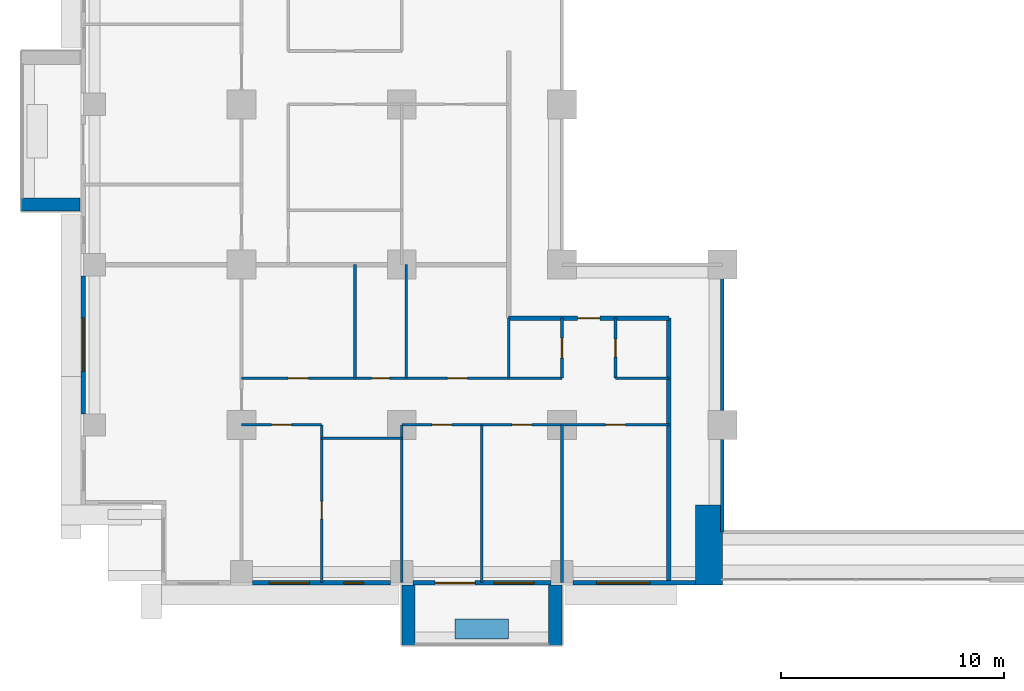
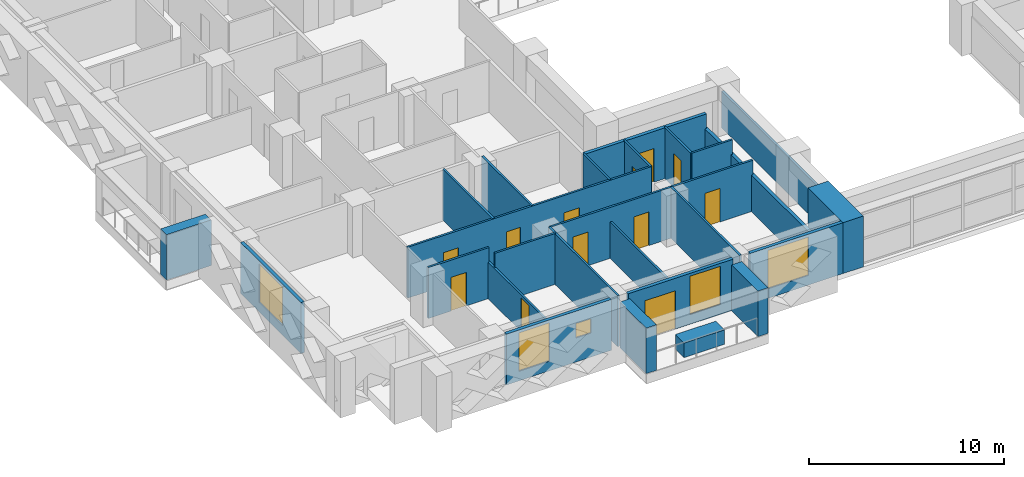
# One storey, part 6 of 16: 26 walls, 12 doors, 5 windows, 17 openings.
"""IFC4 building model written with IfcOpenShell, lengths in metres."""

from ifc_helpers import new_model, si_unit, direction, frame, frame_2d, origin, place, context, subcontext, project, spatial, rectangle, extrude, material, layer, layer_set, type_object, element, fill, save


model = new_model("IFC4")

# Units and contexts
model_context = context("Model", 3, precision=1e-05, world=origin(), true_north=direction((0.0, 1.0)))
body_context = subcontext(model_context, "Body", "Model", "MODEL_VIEW")
ifc_project = project(units=[si_unit("LENGTHUNIT", "METRE"), si_unit("AREAUNIT", "SQUARE_METRE"), si_unit("VOLUMEUNIT", "CUBIC_METRE"), si_unit("PLANEANGLEUNIT", "RADIAN"), si_unit("MASSUNIT", "GRAM", prefix="KILO")], contexts=[model_context])

# Site, building, storey
site_placement = place(None, origin())
site = spatial("IfcSite", under=ifc_project, at=site_placement, CompositionType="ELEMENT")
building_placement = place(site_placement, origin())
building = spatial("IfcBuilding", under=site, at=building_placement, Name="Saffron Iwan Residences", CompositionType="ELEMENT")
storey_placement = place(building_placement, frame((0.0, 0.0, 83.0)))
storey = spatial("IfcBuildingStorey", under=building, at=storey_placement, Name="L21", CompositionType="ELEMENT", Elevation=83.0)

# Walls
ifc_material_1 = material(Name="Fire-rated glazing", Category="glass")
ifc_layer_1 = layer(ifc_material_1, 0.14990234375)
ifc_layer_set_1 = layer_set([ifc_layer_1], Name="Fire-rated glazing")
wall_type_1 = type_object("IfcWallType", Name="Atrium glazed screen 150", PredefinedType="SOLIDWALL", material=ifc_layer_set_1)
wall_1_placement = place(storey_placement, frame((43.199951171875, 36.0, 0.0), z_axis=(0.0, 0.0, 1.0), x_axis=(0.0, 1.0, 0.0)))
element("IfcWall", 1, at=wall_1_placement, inside=storey, type_object=wall_type_1, Name="W-L21-SCREEN-v43.2-36", PredefinedType="SOLIDWALL", context=body_context, shape_type="SweptSolid", body=[
    extrude(rectangle(XDim=12.0, YDim=0.14990234375, at=frame_2d((6.0, 0.0))), origin(), (0.0, 0.0, 1.0), 2.280029296875),
])
ifc_material_2 = material(Name="Concrete C50/60 white painted", Category="concrete")
ifc_layer_2 = layer(ifc_material_2, 0.60009765625)
ifc_layer_set_2 = layer_set([ifc_layer_2], Name="Concrete C50/60 white painted")
wall_type_2 = type_object("IfcWallType", Name="BALCONY FIN 600", PredefinedType="SOLIDWALL", material=ifc_layer_set_2)
wall_2_placement = place(storey_placement, frame((14.35009765625, 50.699951171875, 0.0), z_axis=(0.0, 0.0, 1.0), x_axis=(-1.0, 0.0, 0.0)))
element("IfcWall", 2, at=wall_2_placement, inside=storey, type_object=wall_type_2, Name="Balcony fin L21 F8-1b", PredefinedType="SOLIDWALL", context=body_context, shape_type="SweptSolid", body=[
    extrude(rectangle(XDim=2.650146484375, YDim=0.60009765625, at=frame_2d((1.3251953125, 0.0))), origin(), (0.0, 0.0, 1.0), 2.85009765625),
])
for number, where, z_axis, x_axis, name in (
    (3, (29.10009765625, 33.60009765625, 0.0), (0.0, 0.0, 1.0), (0.0, -1.0, 0.0), "Balcony fin L21 11-0a"),
    (4, (35.699951171875, 33.60009765625, 0.0), (0.0, 0.0, 1.0), (0.0, -1.0, 0.0), "Balcony fin L21 11-0b"),
):
    element("IfcWall", number, at=place(storey_placement, frame(where, z_axis=z_axis, x_axis=x_axis)), inside=storey, type_object=wall_type_2, Name=name, PredefinedType="SOLIDWALL", context=body_context, shape_type="SweptSolid", body=[
        extrude(rectangle(XDim=2.7001953125, YDim=0.60009765625, at=frame_2d((1.35009765625, 0.0))), origin(), (0.0, 0.0, 1.0), 2.85009765625),
    ])
ifc_material_3 = material(Name="Concrete C35/45 white painted", Category="concrete")
ifc_layer_3 = layer(ifc_material_3, 0.14990234375)
ifc_layer_set_3 = layer_set([ifc_layer_3], Name="Concrete C35/45 white painted")
wall_type_3 = type_object("IfcWallType", Name="BALCONY PLANTER", PredefinedType="SOLIDWALL", material=ifc_layer_set_3)
wall_3_placement = place(storey_placement, frame((31.199951171875, 31.625, 0.0), z_axis=(0.0, 0.0, 1.0), x_axis=(1.0, 0.0, 0.0)))
element("IfcWall", 5, at=wall_3_placement, inside=storey, type_object=wall_type_3, Name="PLANTER L21 11-0", PredefinedType="SOLIDWALL", context=body_context, shape_type="SweptSolid", body=[
    extrude(rectangle(XDim=2.400146484375, YDim=0.89990234375, at=frame_2d((1.2001953125, 0.0))), origin(), (0.0, 0.0, 1.0), 0.89990234375),
])

# Wall, opening, window
ifc_material_4 = material(Name="Concrete C40/50", Category="concrete")
ifc_layer_4 = layer(ifc_material_4, 0.199951171875)
ifc_layer_set_4 = layer_set([ifc_layer_4], Name="Concrete C40/50")
wall_type_4 = type_object("IfcWallType", Name="EXTERNAL WALL 200", PredefinedType="SOLIDWALL", material=ifc_layer_set_4)
wall_4_placement = place(storey_placement, frame((14.5, 47.5, 0.0), z_axis=(0.0, 0.0, 1.0), x_axis=(0.0, -1.0, 0.0)))
wall_4 = element("IfcWall", 6, at=wall_4_placement, inside=storey, type_object=wall_type_4, Name="External wall L21 F8.4", PredefinedType="SOLIDWALL", context=body_context, shape_type="SweptSolid", body=[
    extrude(rectangle(XDim=6.199951171875, YDim=0.199951171875, at=frame_2d((3.10009765625, 0.0))), origin(), (0.0, 0.0, 1.0), 3.179931640625),
])
opening_1_placement = place(wall_4_placement, frame((1.89990234375, 0.0, 0.60009765625)))
opening_1 = element("IfcOpeningElement", 7, at=opening_1_placement, cuts=wall_4, Name="Opening W1", PredefinedType="OPENING", context=body_context, shape_type="SweptSolid", body=[
    extrude(rectangle(XDim=2.39990234375, YDim=2.39990234375, at=frame_2d((1.199951171875, 1.199951171875))), frame((0.0, 0.10986328125, 0.0), z_axis=(0.0, -1.0, 0.0), x_axis=(1.0, 0.0, 0.0)), (0.0, 0.0, 1.0), 0.219970703125),
])
ifc_material_5 = material(Name="Clear glass, laminated double glazed", Category="glass")
window_type_1 = type_object("IfcWindowType", Name="WINDOW 2400 x 2400", PartitioningType="DOUBLE_PANEL_VERTICAL", PredefinedType="WINDOW", material=ifc_material_5)
window_1_placement = place(opening_1_placement, origin())
window_1 = element("IfcWindow", 8, at=window_1_placement, inside=storey, type_object=window_type_1, Name="Window L21 F8.0", OverallHeight=2.39990234375, OverallWidth=2.39990234375, PartitioningType="DOUBLE_PANEL_VERTICAL", PredefinedType="WINDOW", context=body_context, shape_type="SweptSolid", body=[
    extrude(rectangle(XDim=2.39990234375, YDim=2.39990234375, at=frame_2d((1.199951171875, 1.199951171875))), frame((0.0, 0.030029296875, 0.0), z_axis=(0.0, -1.0, 0.0), x_axis=(1.0, 0.0, 0.0)), (0.0, 0.0, 1.0), 0.06005859375),
])
fill(opening_1, window_1)

# Wall, openings, windows
wall_5_placement = place(storey_placement, frame((22.10009765625, 33.699951171875, 0.0), z_axis=(0.0, 0.0, 1.0), x_axis=(1.0, 0.0, 0.0)))
wall_5 = element("IfcWall", 9, at=wall_5_placement, inside=storey, type_object=wall_type_4, Name="External wall L21 F11.1", PredefinedType="SOLIDWALL", context=body_context, shape_type="SweptSolid", body=[
    extrude(rectangle(XDim=6.199951171875, YDim=0.199951171875, at=frame_2d((3.10009765625, 0.0))), origin(), (0.0, 0.0, 1.0), 3.179931640625),
])
opening_2_placement = place(wall_5_placement, frame((0.75, 0.0, 0.60009765625)))
opening_2 = element("IfcOpeningElement", 10, at=opening_2_placement, cuts=wall_5, Name="Opening W8", PredefinedType="OPENING", context=body_context, shape_type="SweptSolid", body=[
    extrude(rectangle(XDim=1.800048828125, YDim=2.39990234375, at=frame_2d((0.89990234375, 1.199951171875))), frame((0.0, 0.10986328125, 0.0), z_axis=(0.0, -1.0, 0.0), x_axis=(1.0, 0.0, 0.0)), (0.0, 0.0, 1.0), 0.219970703125),
])
opening_3_placement = place(wall_5_placement, frame((4.10009765625, 0.0, 1.5)))
opening_3 = element("IfcOpeningElement", 11, at=opening_3_placement, cuts=wall_5, Name="Opening W6", PredefinedType="OPENING", context=body_context, shape_type="SweptSolid", body=[
    extrude(rectangle(XDim=0.89990234375, YDim=0.89990234375, at=frame_2d((0.449951171875, 0.449951171875))), frame((0.0, 0.10986328125, 0.0), z_axis=(0.0, -1.0, 0.0), x_axis=(1.0, 0.0, 0.0)), (0.0, 0.0, 1.0), 0.219970703125),
])
window_type_2 = type_object("IfcWindowType", Name="WINDOW 1800 x 2400", PartitioningType="DOUBLE_PANEL_VERTICAL", PredefinedType="WINDOW", material=ifc_material_5)
window_2_placement = place(opening_2_placement, origin())
window_2 = element("IfcWindow", 12, at=window_2_placement, inside=storey, type_object=window_type_2, Name="Window L21 F11.0", OverallHeight=2.39990234375, OverallWidth=1.800048828125, PartitioningType="DOUBLE_PANEL_VERTICAL", PredefinedType="WINDOW", context=body_context, shape_type="SweptSolid", body=[
    extrude(rectangle(XDim=1.800048828125, YDim=2.39990234375, at=frame_2d((0.89990234375, 1.199951171875))), frame((0.0, 0.030029296875, 0.0), z_axis=(0.0, -1.0, 0.0), x_axis=(1.0, 0.0, 0.0)), (0.0, 0.0, 1.0), 0.06005859375),
])
fill(opening_2, window_2)
window_type_3 = type_object("IfcWindowType", Name="WINDOW 900 x 900 BATH", PartitioningType="SINGLE_PANEL", PredefinedType="WINDOW", material=ifc_material_5)
window_3_placement = place(opening_3_placement, origin())
window_3 = element("IfcWindow", 13, at=window_3_placement, inside=storey, type_object=window_type_3, Name="Window L21 F11.1", OverallHeight=0.89990234375, OverallWidth=0.89990234375, PartitioningType="SINGLE_PANEL", PredefinedType="WINDOW", context=body_context, shape_type="SweptSolid", body=[
    extrude(rectangle(XDim=0.89990234375, YDim=0.89990234375, at=frame_2d((0.449951171875, 0.449951171875))), frame((0.0, 0.030029296875, 0.0), z_axis=(0.0, -1.0, 0.0), x_axis=(1.0, 0.0, 0.0)), (0.0, 0.0, 1.0), 0.06005859375),
])
fill(opening_3, window_3)

# Wall, openings, door, window
wall_6_placement = place(storey_placement, frame((29.300048828125, 33.699951171875, 0.0), z_axis=(0.0, 0.0, 1.0), x_axis=(1.0, 0.0, 0.0)))
wall_6 = element("IfcWall", 14, at=wall_6_placement, inside=storey, type_object=wall_type_4, Name="External wall L21 F11.2", PredefinedType="SOLIDWALL", context=body_context, shape_type="SweptSolid", body=[
    extrude(rectangle(XDim=6.199951171875, YDim=0.199951171875, at=frame_2d((3.10009765625, 0.0))), origin(), (0.0, 0.0, 1.0), 3.179931640625),
])
opening_4_placement = place(wall_6_placement, frame((1.0, 0.0, 0.0)))
opening_4 = element("IfcOpeningElement", 15, at=opening_4_placement, cuts=wall_6, Name="Opening BD1", PredefinedType="OPENING", context=body_context, shape_type="SweptSolid", body=[
    extrude(rectangle(XDim=1.800048828125, YDim=2.39990234375, at=frame_2d((0.89990234375, 1.199951171875))), frame((0.0, 0.10986328125, 0.0), z_axis=(0.0, -1.0, 0.0), x_axis=(1.0, 0.0, 0.0)), (0.0, 0.0, 1.0), 0.219970703125),
])
opening_5_placement = place(wall_6_placement, frame((3.64990234375, 0.0, 0.60009765625)))
opening_5 = element("IfcOpeningElement", 16, at=opening_5_placement, cuts=wall_6, Name="Opening W8", PredefinedType="OPENING", context=body_context, shape_type="SweptSolid", body=[
    extrude(rectangle(XDim=1.800048828125, YDim=2.39990234375, at=frame_2d((0.89990234375, 1.199951171875))), frame((0.0, 0.10986328125, 0.0), z_axis=(0.0, -1.0, 0.0), x_axis=(1.0, 0.0, 0.0)), (0.0, 0.0, 1.0), 0.219970703125),
])
door_type_1 = type_object("IfcDoorType", Name="BALCONY DOOR 1800 x 2400", OperationType="DOUBLE_DOOR_SLIDING", PredefinedType="DOOR", material=ifc_material_5)
door_1_placement = place(opening_4_placement, origin())
door_1 = element("IfcDoor", 17, at=door_1_placement, inside=storey, type_object=door_type_1, Name="Balcony door L21 F11.0", OperationType="DOUBLE_DOOR_SLIDING", OverallHeight=2.39990234375, OverallWidth=1.800048828125, PredefinedType="DOOR", context=body_context, shape_type="SweptSolid", body=[
    extrude(rectangle(XDim=1.800048828125, YDim=2.39990234375, at=frame_2d((0.89990234375, 1.199951171875))), frame((0.0, 0.02490234375, 0.0), z_axis=(0.0, -1.0, 0.0), x_axis=(1.0, 0.0, 0.0)), (0.0, 0.0, 1.0), 0.050048828125),
])
fill(opening_4, door_1)
window_4_placement = place(opening_5_placement, origin())
window_4 = element("IfcWindow", 18, at=window_4_placement, inside=storey, type_object=window_type_2, Name="Window L21 F11.1", OverallHeight=2.39990234375, OverallWidth=1.800048828125, PartitioningType="DOUBLE_PANEL_VERTICAL", PredefinedType="WINDOW", context=body_context, shape_type="SweptSolid", body=[
    extrude(rectangle(XDim=1.800048828125, YDim=2.39990234375, at=frame_2d((0.89990234375, 1.199951171875))), frame((0.0, 0.030029296875, 0.0), z_axis=(0.0, -1.0, 0.0), x_axis=(1.0, 0.0, 0.0)), (0.0, 0.0, 1.0), 0.06005859375),
])
fill(opening_5, window_4)

# Wall, opening, window
wall_7_placement = place(storey_placement, frame((36.5, 33.699951171875, 0.0), z_axis=(0.0, 0.0, 1.0), x_axis=(1.0, 0.0, 0.0)))
wall_7 = element("IfcWall", 19, at=wall_7_placement, inside=storey, type_object=wall_type_4, Name="External wall L21 F11.3", PredefinedType="SOLIDWALL", context=body_context, shape_type="SweptSolid", body=[
    extrude(rectangle(XDim=5.5, YDim=0.199951171875, at=frame_2d((2.75, 0.0))), origin(), (0.0, 0.0, 1.0), 3.179931640625),
])
opening_6_placement = place(wall_7_placement, frame((1.050048828125, 0.0, 0.60009765625)))
opening_6 = element("IfcOpeningElement", 20, at=opening_6_placement, cuts=wall_7, Name="Opening W1", PredefinedType="OPENING", context=body_context, shape_type="SweptSolid", body=[
    extrude(rectangle(XDim=2.39990234375, YDim=2.39990234375, at=frame_2d((1.199951171875, 1.199951171875))), frame((0.0, 0.10986328125, 0.0), z_axis=(0.0, -1.0, 0.0), x_axis=(1.0, 0.0, 0.0)), (0.0, 0.0, 1.0), 0.219970703125),
])
window_5_placement = place(opening_6_placement, origin())
window_5 = element("IfcWindow", 21, at=window_5_placement, inside=storey, type_object=window_type_1, Name="Window L21 F11.0", OverallHeight=2.39990234375, OverallWidth=2.39990234375, PartitioningType="DOUBLE_PANEL_VERTICAL", PredefinedType="WINDOW", context=body_context, shape_type="SweptSolid", body=[
    extrude(rectangle(XDim=2.39990234375, YDim=2.39990234375, at=frame_2d((1.199951171875, 1.199951171875))), frame((0.0, 0.030029296875, 0.0), z_axis=(0.0, -1.0, 0.0), x_axis=(1.0, 0.0, 0.0)), (0.0, 0.0, 1.0), 0.06005859375),
])
fill(opening_6, window_5)

# Wall
ifc_material_6 = material(Name="Gypsum board partition")
ifc_layer_5 = layer(ifc_material_6, 0.1201171875)
ifc_layer_set_5 = layer_set([ifc_layer_5], Name="Gypsum board partition")
wall_type_5 = type_object("IfcWallType", Name="Flat partition 120", PredefinedType="PARTITIONING", material=ifc_layer_set_5)
wall_8_placement = place(storey_placement, frame((25.199951171875, 40.199951171875, 0.0), z_axis=(0.0, 0.0, 1.0), x_axis=(1.0, 0.0, 0.0)))
element("IfcWall", 22, at=wall_8_placement, inside=storey, type_object=wall_type_5, Name="W-L21-PART-h40.2-25.2", PredefinedType="PARTITIONING", context=body_context, shape_type="SweptSolid", body=[
    extrude(rectangle(XDim=3.60009765625, YDim=0.1201171875, at=frame_2d((1.800048828125, 0.0))), origin(), (0.0, 0.0, 1.0), 3.179931640625),
])

# Wall, opening, door
wall_9_placement = place(storey_placement, frame((21.60009765625, 40.800048828125, 0.0), z_axis=(0.0, 0.0, 1.0), x_axis=(1.0, 0.0, 0.0)))
wall_9 = element("IfcWall", 23, at=wall_9_placement, inside=storey, type_object=wall_type_5, Name="W-L21-PART-h40.8-21.6", PredefinedType="PARTITIONING", context=body_context, shape_type="SweptSolid", body=[
    extrude(rectangle(XDim=3.599853515625, YDim=0.1201171875, at=frame_2d((1.7998046875, 0.0))), origin(), (0.0, 0.0, 1.0), 3.179931640625),
])
opening_7_placement = place(wall_9_placement, frame((1.35009765625, 0.0, 0.0)))
opening_7 = element("IfcOpeningElement", 24, at=opening_7_placement, cuts=wall_9, Name="Opening FD2", PredefinedType="OPENING", context=body_context, shape_type="SweptSolid", body=[
    extrude(rectangle(XDim=0.89990234375, YDim=2.10009765625, at=frame_2d((0.449951171875, 1.050048828125))), frame((0.0, 0.070068359375, 0.0), z_axis=(0.0, -1.0, 0.0), x_axis=(1.0, 0.0, 0.0)), (0.0, 0.0, 1.0), 0.14013671875),
])
ifc_material_7 = material(Name="Timber door", Category="wood")
door_type_2 = type_object("IfcDoorType", Name="Flat door 900", OperationType="NOTDEFINED", PredefinedType="DOOR", material=ifc_material_7)
door_2_placement = place(opening_7_placement, origin())
door_2 = element("IfcDoor", 25, at=door_2_placement, inside=storey, type_object=door_type_2, Name="Door L21-003", OperationType="SINGLE_SWING_LEFT", OverallHeight=2.10009765625, OverallWidth=0.89990234375, PredefinedType="DOOR", context=body_context, shape_type="SweptSolid", body=[
    extrude(rectangle(XDim=0.89990234375, YDim=2.10009765625, at=frame_2d((0.449951171875, 1.050048828125))), frame((0.0, 0.02490234375, 0.0), z_axis=(0.0, -1.0, 0.0), x_axis=(1.0, 0.0, 0.0)), (0.0, 0.0, 1.0), 0.050048828125),
])
fill(opening_7, door_2)

# Wall, openings, doors
wall_10_placement = place(storey_placement, frame((28.800048828125, 40.800048828125, 0.0), z_axis=(0.0, 0.0, 1.0), x_axis=(1.0, 0.0, 0.0)))
wall_10 = element("IfcWall", 26, at=wall_10_placement, inside=storey, type_object=wall_type_5, Name="W-L21-PART-h40.8-28.8", PredefinedType="PARTITIONING", context=body_context, shape_type="SweptSolid", body=[
    extrude(rectangle(XDim=12.0, YDim=0.1201171875, at=frame_2d((6.0, 0.0))), origin(), (0.0, 0.0, 1.0), 3.179931640625),
])
opening_8_placement = place(wall_10_placement, frame((1.35009765625, 0.0, 0.0)))
opening_8 = element("IfcOpeningElement", 27, at=opening_8_placement, cuts=wall_10, Name="Opening FD2", PredefinedType="OPENING", context=body_context, shape_type="SweptSolid", body=[
    extrude(rectangle(XDim=0.89990234375, YDim=2.10009765625, at=frame_2d((0.449951171875, 1.050048828125))), frame((0.0, 0.070068359375, 0.0), z_axis=(0.0, -1.0, 0.0), x_axis=(1.0, 0.0, 0.0)), (0.0, 0.0, 1.0), 0.14013671875),
])
opening_9_placement = place(wall_10_placement, frame((4.949951171875, 0.0, 0.0)))
opening_9 = element("IfcOpeningElement", 28, at=opening_9_placement, cuts=wall_10, Name="Opening FD2", PredefinedType="OPENING", context=body_context, shape_type="SweptSolid", body=[
    extrude(rectangle(XDim=0.89990234375, YDim=2.10009765625, at=frame_2d((0.449951171875, 1.050048828125))), frame((0.0, 0.070068359375, 0.0), z_axis=(0.0, -1.0, 0.0), x_axis=(1.0, 0.0, 0.0)), (0.0, 0.0, 1.0), 0.14013671875),
])
opening_10_placement = place(wall_10_placement, frame((9.14990234375, 0.0, 0.0)))
opening_10 = element("IfcOpeningElement", 29, at=opening_10_placement, cuts=wall_10, Name="Opening FD2", PredefinedType="OPENING", context=body_context, shape_type="SweptSolid", body=[
    extrude(rectangle(XDim=0.89990234375, YDim=2.10009765625, at=frame_2d((0.449951171875, 1.050048828125))), frame((0.0, 0.070068359375, 0.0), z_axis=(0.0, -1.0, 0.0), x_axis=(1.0, 0.0, 0.0)), (0.0, 0.0, 1.0), 0.14013671875),
])
door_3_placement = place(opening_8_placement, origin())
door_3 = element("IfcDoor", 30, at=door_3_placement, inside=storey, type_object=door_type_2, Name="Door L21-005", OperationType="SINGLE_SWING_LEFT", OverallHeight=2.10009765625, OverallWidth=0.89990234375, PredefinedType="DOOR", context=body_context, shape_type="SweptSolid", body=[
    extrude(rectangle(XDim=0.89990234375, YDim=2.10009765625, at=frame_2d((0.449951171875, 1.050048828125))), frame((0.0, 0.02490234375, 0.0), z_axis=(0.0, -1.0, 0.0), x_axis=(1.0, 0.0, 0.0)), (0.0, 0.0, 1.0), 0.050048828125),
])
fill(opening_8, door_3)
door_4_placement = place(opening_9_placement, origin())
door_4 = element("IfcDoor", 31, at=door_4_placement, inside=storey, type_object=door_type_2, Name="Door L21-006", OperationType="SINGLE_SWING_LEFT", OverallHeight=2.10009765625, OverallWidth=0.89990234375, PredefinedType="DOOR", context=body_context, shape_type="SweptSolid", body=[
    extrude(rectangle(XDim=0.89990234375, YDim=2.10009765625, at=frame_2d((0.449951171875, 1.050048828125))), frame((0.0, 0.02490234375, 0.0), z_axis=(0.0, -1.0, 0.0), x_axis=(1.0, 0.0, 0.0)), (0.0, 0.0, 1.0), 0.050048828125),
])
fill(opening_9, door_4)
door_5_placement = place(opening_10_placement, origin())
door_5 = element("IfcDoor", 32, at=door_5_placement, inside=storey, type_object=door_type_2, Name="Door L21-007", OperationType="SINGLE_SWING_RIGHT", OverallHeight=2.10009765625, OverallWidth=0.89990234375, PredefinedType="DOOR", context=body_context, shape_type="SweptSolid", body=[
    extrude(rectangle(XDim=0.89990234375, YDim=2.10009765625, at=frame_2d((0.449951171875, 1.050048828125))), frame((0.0, 0.02490234375, 0.0), z_axis=(0.0, -1.0, 0.0), x_axis=(1.0, 0.0, 0.0)), (0.0, 0.0, 1.0), 0.050048828125),
])
fill(opening_10, door_5)

wall_11_placement = place(storey_placement, frame((21.60009765625, 42.89990234375, 0.0), z_axis=(0.0, 0.0, 1.0), x_axis=(1.0, 0.0, 0.0)))
wall_11 = element("IfcWall", 33, at=wall_11_placement, inside=storey, type_object=wall_type_5, Name="W-L21-PART-h42.9-21.6", PredefinedType="PARTITIONING", context=body_context, shape_type="SweptSolid", body=[
    extrude(rectangle(XDim=14.39990234375, YDim=0.1201171875, at=frame_2d((7.199951171875, 0.0))), origin(), (0.0, 0.0, 1.0), 3.179931640625),
])
opening_11_placement = place(wall_11_placement, frame((2.10009765625, 0.0, 0.0)))
opening_11 = element("IfcOpeningElement", 34, at=opening_11_placement, cuts=wall_11, Name="Opening FD2", PredefinedType="OPENING", context=body_context, shape_type="SweptSolid", body=[
    extrude(rectangle(XDim=0.89990234375, YDim=2.10009765625, at=frame_2d((0.449951171875, 1.050048828125))), frame((0.0, 0.070068359375, 0.0), z_axis=(0.0, -1.0, 0.0), x_axis=(1.0, 0.0, 0.0)), (0.0, 0.0, 1.0), 0.14013671875),
])
opening_12_placement = place(wall_11_placement, frame((5.85009765625, 0.0, 0.0)))
opening_12 = element("IfcOpeningElement", 35, at=opening_12_placement, cuts=wall_11, Name="Opening FD3", PredefinedType="OPENING", context=body_context, shape_type="SweptSolid", body=[
    extrude(rectangle(XDim=0.800048828125, YDim=2.10009765625, at=frame_2d((0.39990234375, 1.050048828125))), frame((0.0, 0.070068359375, 0.0), z_axis=(0.0, -1.0, 0.0), x_axis=(1.0, 0.0, 0.0)), (0.0, 0.0, 1.0), 0.14013671875),
])
opening_13_placement = place(wall_11_placement, frame((9.25, 0.0, 0.0)))
opening_13 = element("IfcOpeningElement", 36, at=opening_13_placement, cuts=wall_11, Name="Opening FD2", PredefinedType="OPENING", context=body_context, shape_type="SweptSolid", body=[
    extrude(rectangle(XDim=0.89990234375, YDim=2.10009765625, at=frame_2d((0.449951171875, 1.050048828125))), frame((0.0, 0.070068359375, 0.0), z_axis=(0.0, -1.0, 0.0), x_axis=(1.0, 0.0, 0.0)), (0.0, 0.0, 1.0), 0.14013671875),
])
door_type_3 = type_object("IfcDoorType", Name="Bathroom door 800", OperationType="NOTDEFINED", PredefinedType="DOOR", material=ifc_material_7)
door_6_placement = place(opening_12_placement, origin())
door_6 = element("IfcDoor", 37, at=door_6_placement, inside=storey, type_object=door_type_3, Name="Door L21-009", OperationType="SINGLE_SWING_LEFT", OverallHeight=2.10009765625, OverallWidth=0.800048828125, PredefinedType="DOOR", context=body_context, shape_type="SweptSolid", body=[
    extrude(rectangle(XDim=0.800048828125, YDim=2.10009765625, at=frame_2d((0.39990234375, 1.050048828125))), frame((0.0, 0.02490234375, 0.0), z_axis=(0.0, -1.0, 0.0), x_axis=(1.0, 0.0, 0.0)), (0.0, 0.0, 1.0), 0.050048828125),
])
fill(opening_12, door_6)
door_7_placement = place(opening_11_placement, origin())
door_7 = element("IfcDoor", 38, at=door_7_placement, inside=storey, type_object=door_type_2, Name="Door L21-008", OperationType="SINGLE_SWING_LEFT", OverallHeight=2.10009765625, OverallWidth=0.89990234375, PredefinedType="DOOR", context=body_context, shape_type="SweptSolid", body=[
    extrude(rectangle(XDim=0.89990234375, YDim=2.10009765625, at=frame_2d((0.449951171875, 1.050048828125))), frame((0.0, 0.02490234375, 0.0), z_axis=(0.0, -1.0, 0.0), x_axis=(1.0, 0.0, 0.0)), (0.0, 0.0, 1.0), 0.050048828125),
])
fill(opening_11, door_7)
door_8_placement = place(opening_13_placement, origin())
door_8 = element("IfcDoor", 39, at=door_8_placement, inside=storey, type_object=door_type_2, Name="Door L21-010", OperationType="SINGLE_SWING_RIGHT", OverallHeight=2.10009765625, OverallWidth=0.89990234375, PredefinedType="DOOR", context=body_context, shape_type="SweptSolid", body=[
    extrude(rectangle(XDim=0.89990234375, YDim=2.10009765625, at=frame_2d((0.449951171875, 1.050048828125))), frame((0.0, 0.02490234375, 0.0), z_axis=(0.0, -1.0, 0.0), x_axis=(1.0, 0.0, 0.0)), (0.0, 0.0, 1.0), 0.050048828125),
])
fill(opening_13, door_8)

# Wall
wall_12_placement = place(storey_placement, frame((38.39990234375, 42.89990234375, 0.0), z_axis=(0.0, 0.0, 1.0), x_axis=(1.0, 0.0, 0.0)))
element("IfcWall", 40, at=wall_12_placement, inside=storey, type_object=wall_type_5, Name="W-L21-PART-h42.9-38.4", PredefinedType="PARTITIONING", context=body_context, shape_type="SweptSolid", body=[
    extrude(rectangle(XDim=2.400146484375, YDim=0.1201171875, at=frame_2d((1.2001953125, 0.0))), origin(), (0.0, 0.0, 1.0), 3.179931640625),
])

# Wall, opening, door
wall_13_placement = place(storey_placement, frame((25.199951171875, 33.72509765625, 0.0), z_axis=(0.0, 0.0, 1.0), x_axis=(0.0, 1.0, 0.0)))
wall_13 = element("IfcWall", 41, at=wall_13_placement, inside=storey, type_object=wall_type_5, Name="W-L21-PART-v25.2-33.725", PredefinedType="PARTITIONING", context=body_context, shape_type="SweptSolid", body=[
    extrude(rectangle(XDim=7.074951171875, YDim=0.1201171875, at=frame_2d((3.53759765625, 0.0))), origin(), (0.0, 0.0, 1.0), 2.280029296875),
])
opening_14_placement = place(wall_13_placement, frame((2.83740234375, 0.0, 0.0)))
opening_14 = element("IfcOpeningElement", 42, at=opening_14_placement, cuts=wall_13, Name="Opening FD3", PredefinedType="OPENING", context=body_context, shape_type="SweptSolid", body=[
    extrude(rectangle(XDim=0.800048828125, YDim=2.10009765625, at=frame_2d((0.39990234375, 1.050048828125))), frame((0.0, 0.070068359375, 0.0), z_axis=(0.0, -1.0, 0.0), x_axis=(1.0, 0.0, 0.0)), (0.0, 0.0, 1.0), 0.14013671875),
])
door_9_placement = place(opening_14_placement, origin())
door_9 = element("IfcDoor", 43, at=door_9_placement, inside=storey, type_object=door_type_3, Name="Door L21-004", OperationType="SINGLE_SWING_RIGHT", OverallHeight=2.10009765625, OverallWidth=0.800048828125, PredefinedType="DOOR", context=body_context, shape_type="SweptSolid", body=[
    extrude(rectangle(XDim=0.800048828125, YDim=2.10009765625, at=frame_2d((0.39990234375, 1.050048828125))), frame((0.0, 0.02490234375, 0.0), z_axis=(0.0, -1.0, 0.0), x_axis=(1.0, 0.0, 0.0)), (0.0, 0.0, 1.0), 0.050048828125),
])
fill(opening_14, door_9)

# Walls
wall_14_placement = place(storey_placement, frame((26.699951171875, 42.89990234375, 0.0), z_axis=(0.0, 0.0, 1.0), x_axis=(0.0, 1.0, 0.0)))
element("IfcWall", 44, at=wall_14_placement, inside=storey, type_object=wall_type_5, Name="W-L21-PART-v26.7-42.9", PredefinedType="PARTITIONING", context=body_context, shape_type="SweptSolid", body=[
    extrude(rectangle(XDim=5.10009765625, YDim=0.1201171875, at=frame_2d((2.550048828125, 0.0))), origin(), (0.0, 0.0, 1.0), 3.179931640625),
])
wall_15_placement = place(storey_placement, frame((28.800048828125, 33.72509765625, 0.0), z_axis=(0.0, 0.0, 1.0), x_axis=(0.0, 1.0, 0.0)))
element("IfcWall", 45, at=wall_15_placement, inside=storey, type_object=wall_type_5, Name="W-L21-PART-v28.8-33.725", PredefinedType="PARTITIONING", context=body_context, shape_type="SweptSolid", body=[
    extrude(rectangle(XDim=7.074951171875, YDim=0.1201171875, at=frame_2d((3.53759765625, 0.0))), origin(), (0.0, 0.0, 1.0), 3.179931640625),
])
wall_16_placement = place(storey_placement, frame((29.0, 42.89990234375, 0.0), z_axis=(0.0, 0.0, 1.0), x_axis=(0.0, 1.0, 0.0)))
element("IfcWall", 46, at=wall_16_placement, inside=storey, type_object=wall_type_5, Name="W-L21-PART-v29-42.9", PredefinedType="PARTITIONING", context=body_context, shape_type="SweptSolid", body=[
    extrude(rectangle(XDim=5.10009765625, YDim=0.1201171875, at=frame_2d((2.550048828125, 0.0))), origin(), (0.0, 0.0, 1.0), 3.179931640625),
])
wall_17_placement = place(storey_placement, frame((32.39990234375, 33.72509765625, 0.0), z_axis=(0.0, 0.0, 1.0), x_axis=(0.0, 1.0, 0.0)))
element("IfcWall", 47, at=wall_17_placement, inside=storey, type_object=wall_type_5, Name="W-L21-PART-v32.4-33.725", PredefinedType="PARTITIONING", context=body_context, shape_type="SweptSolid", body=[
    extrude(rectangle(XDim=7.074951171875, YDim=0.1201171875, at=frame_2d((3.53759765625, 0.0))), origin(), (0.0, 0.0, 1.0), 2.280029296875),
])
wall_18_placement = place(storey_placement, frame((33.60009765625, 42.89990234375, 0.0), z_axis=(0.0, 0.0, 1.0), x_axis=(0.0, 1.0, 0.0)))
element("IfcWall", 48, at=wall_18_placement, inside=storey, type_object=wall_type_5, Name="W-L21-PART-v33.6-42.9", PredefinedType="PARTITIONING", context=body_context, shape_type="SweptSolid", body=[
    extrude(rectangle(XDim=2.7001953125, YDim=0.1201171875, at=frame_2d((1.35009765625, 0.0))), origin(), (0.0, 0.0, 1.0), 3.179931640625),
])
wall_19_placement = place(storey_placement, frame((36.0, 33.72509765625, 0.0), z_axis=(0.0, 0.0, 1.0), x_axis=(0.0, 1.0, 0.0)))
element("IfcWall", 49, at=wall_19_placement, inside=storey, type_object=wall_type_5, Name="W-L21-PART-v36-33.725", PredefinedType="PARTITIONING", context=body_context, shape_type="SweptSolid", body=[
    extrude(rectangle(XDim=7.074951171875, YDim=0.1201171875, at=frame_2d((3.53759765625, 0.0))), origin(), (0.0, 0.0, 1.0), 3.179931640625),
])

# Wall, opening, door
wall_20_placement = place(storey_placement, frame((36.0, 42.89990234375, 0.0), z_axis=(0.0, 0.0, 1.0), x_axis=(0.0, 1.0, 0.0)))
wall_20 = element("IfcWall", 50, at=wall_20_placement, inside=storey, type_object=wall_type_5, Name="W-L21-PART-v36-42.9", PredefinedType="PARTITIONING", context=body_context, shape_type="SweptSolid", body=[
    extrude(rectangle(XDim=2.7001953125, YDim=0.1201171875, at=frame_2d((1.35009765625, 0.0))), origin(), (0.0, 0.0, 1.0), 3.179931640625),
])
opening_15_placement = place(wall_20_placement, frame((0.89990234375, 0.0, 0.0)))
opening_15 = element("IfcOpeningElement", 51, at=opening_15_placement, cuts=wall_20, Name="Opening FD2", PredefinedType="OPENING", context=body_context, shape_type="SweptSolid", body=[
    extrude(rectangle(XDim=0.89990234375, YDim=2.10009765625, at=frame_2d((0.449951171875, 1.050048828125))), frame((0.0, 0.070068359375, 0.0), z_axis=(0.0, -1.0, 0.0), x_axis=(1.0, 0.0, 0.0)), (0.0, 0.0, 1.0), 0.14013671875),
])
door_10_placement = place(opening_15_placement, origin())
door_10 = element("IfcDoor", 52, at=door_10_placement, inside=storey, type_object=door_type_2, Name="Door L21-011", OperationType="SINGLE_SWING_LEFT", OverallHeight=2.10009765625, OverallWidth=0.89990234375, PredefinedType="DOOR", context=body_context, shape_type="SweptSolid", body=[
    extrude(rectangle(XDim=0.89990234375, YDim=2.10009765625, at=frame_2d((0.449951171875, 1.050048828125))), frame((0.0, 0.02490234375, 0.0), z_axis=(0.0, -1.0, 0.0), x_axis=(1.0, 0.0, 0.0)), (0.0, 0.0, 1.0), 0.050048828125),
])
fill(opening_15, door_10)

wall_21_placement = place(storey_placement, frame((38.39990234375, 42.89990234375, 0.0), z_axis=(0.0, 0.0, 1.0), x_axis=(0.0, 1.0, 0.0)))
wall_21 = element("IfcWall", 53, at=wall_21_placement, inside=storey, type_object=wall_type_5, Name="W-L21-PART-v38.4-42.9", PredefinedType="PARTITIONING", context=body_context, shape_type="SweptSolid", body=[
    extrude(rectangle(XDim=2.7001953125, YDim=0.1201171875, at=frame_2d((1.35009765625, 0.0))), origin(), (0.0, 0.0, 1.0), 3.179931640625),
])
opening_16_placement = place(wall_21_placement, frame((0.949951171875, 0.0, 0.0)))
opening_16 = element("IfcOpeningElement", 54, at=opening_16_placement, cuts=wall_21, Name="Opening FD3", PredefinedType="OPENING", context=body_context, shape_type="SweptSolid", body=[
    extrude(rectangle(XDim=0.800048828125, YDim=2.10009765625, at=frame_2d((0.39990234375, 1.050048828125))), frame((0.0, 0.070068359375, 0.0), z_axis=(0.0, -1.0, 0.0), x_axis=(1.0, 0.0, 0.0)), (0.0, 0.0, 1.0), 0.14013671875),
])
door_11_placement = place(opening_16_placement, origin())
door_11 = element("IfcDoor", 55, at=door_11_placement, inside=storey, type_object=door_type_3, Name="Door L21-012", OperationType="SINGLE_SWING_LEFT", OverallHeight=2.10009765625, OverallWidth=0.800048828125, PredefinedType="DOOR", context=body_context, shape_type="SweptSolid", body=[
    extrude(rectangle(XDim=0.800048828125, YDim=2.10009765625, at=frame_2d((0.39990234375, 1.050048828125))), frame((0.0, 0.02490234375, 0.0), z_axis=(0.0, -1.0, 0.0), x_axis=(1.0, 0.0, 0.0)), (0.0, 0.0, 1.0), 0.050048828125),
])
fill(opening_16, door_11)

ifc_material_8 = material(Name="Fire-rated gypsum board wall")
ifc_layer_6 = layer(ifc_material_8, 0.199951171875)
ifc_layer_set_6 = layer_set([ifc_layer_6], Name="Fire-rated gypsum board wall")
wall_type_6 = type_object("IfcWallType", Name="Gallery wall 200", PredefinedType="SOLIDWALL", material=ifc_layer_set_6)
wall_22_placement = place(storey_placement, frame((33.60009765625, 45.60009765625, 0.0), z_axis=(0.0, 0.0, 1.0), x_axis=(1.0, 0.0, 0.0)))
wall_22 = element("IfcWall", 56, at=wall_22_placement, inside=storey, type_object=wall_type_6, Name="W-L21-CORR-h45.6-33.6", PredefinedType="SOLIDWALL", context=body_context, shape_type="SweptSolid", body=[
    extrude(rectangle(XDim=7.199951171875, YDim=0.199951171875, at=frame_2d((3.60009765625, 0.0))), origin(), (0.0, 0.0, 1.0), 3.179931640625),
])
opening_17_placement = place(wall_22_placement, frame((3.10009765625, 0.0, 0.0)))
opening_17 = element("IfcOpeningElement", 57, at=opening_17_placement, cuts=wall_22, Name="Opening FD1", PredefinedType="OPENING", context=body_context, shape_type="SweptSolid", body=[
    extrude(rectangle(XDim=1.0, YDim=2.10009765625, at=frame_2d((0.5, 1.050048828125))), frame((0.0, 0.10986328125, 0.0), z_axis=(0.0, -1.0, 0.0), x_axis=(1.0, 0.0, 0.0)), (0.0, 0.0, 1.0), 0.219970703125),
])
ifc_material_9 = material(Name="Fire-rated timber door", Category="wood")
door_type_4 = type_object("IfcDoorType", Name="FD30S flat entrance door 1000", OperationType="NOTDEFINED", PredefinedType="DOOR", material=ifc_material_9)
door_12_placement = place(opening_17_placement, origin())
door_12 = element("IfcDoor", 58, at=door_12_placement, inside=storey, type_object=door_type_4, Name="Door L21-001", OperationType="SINGLE_SWING_RIGHT", OverallHeight=2.10009765625, OverallWidth=1.0, PredefinedType="DOOR", context=body_context, shape_type="SweptSolid", body=[
    extrude(rectangle(XDim=1.0, YDim=2.10009765625, at=frame_2d((0.5, 1.050048828125))), frame((0.0, 0.02490234375, 0.0), z_axis=(0.0, -1.0, 0.0), x_axis=(1.0, 0.0, 0.0)), (0.0, 0.0, 1.0), 0.050048828125),
])
fill(opening_17, door_12)

# Walls
wall_23_placement = place(storey_placement, frame((40.800048828125, 33.72509765625, 0.0), z_axis=(0.0, 0.0, 1.0), x_axis=(0.0, 1.0, 0.0)))
element("IfcWall", 59, at=wall_23_placement, inside=storey, type_object=wall_type_6, Name="W-L21-CORR-v40.8-33.725", PredefinedType="SOLIDWALL", context=body_context, shape_type="SweptSolid", body=[
    extrude(rectangle(XDim=11.875, YDim=0.199951171875, at=frame_2d((5.9375, 0.0))), origin(), (0.0, 0.0, 1.0), 2.280029296875),
])
ifc_material_10 = material(Name="Concrete C60/75", Category="concrete")
ifc_layer_7 = layer(ifc_material_10, 1.199951171875)
ifc_layer_set_7 = layer_set([ifc_layer_7], Name="Concrete C60/75")
wall_type_7 = type_object("IfcWallType", Name="WALL IWAN PIER 1200 C60/75 3180 HIGH", PredefinedType="SHEAR", material=ifc_layer_set_7)
wall_24_placement = place(storey_placement, frame((42.60009765625, 33.60009765625, 0.0), z_axis=(0.0, 0.0, 1.0), x_axis=(0.0, 1.0, 0.0)))
element("IfcWall", 60, at=wall_24_placement, inside=storey, type_object=wall_type_7, Name="IWAN PIER", PredefinedType="SHEAR", context=body_context, shape_type="SweptSolid", body=[
    extrude(rectangle(XDim=3.599853515625, YDim=1.199951171875, at=frame_2d((1.7998046875, 0.0))), origin(), (0.0, 0.0, 1.0), 3.179931640625),
])

save(model, "model.ifc")
